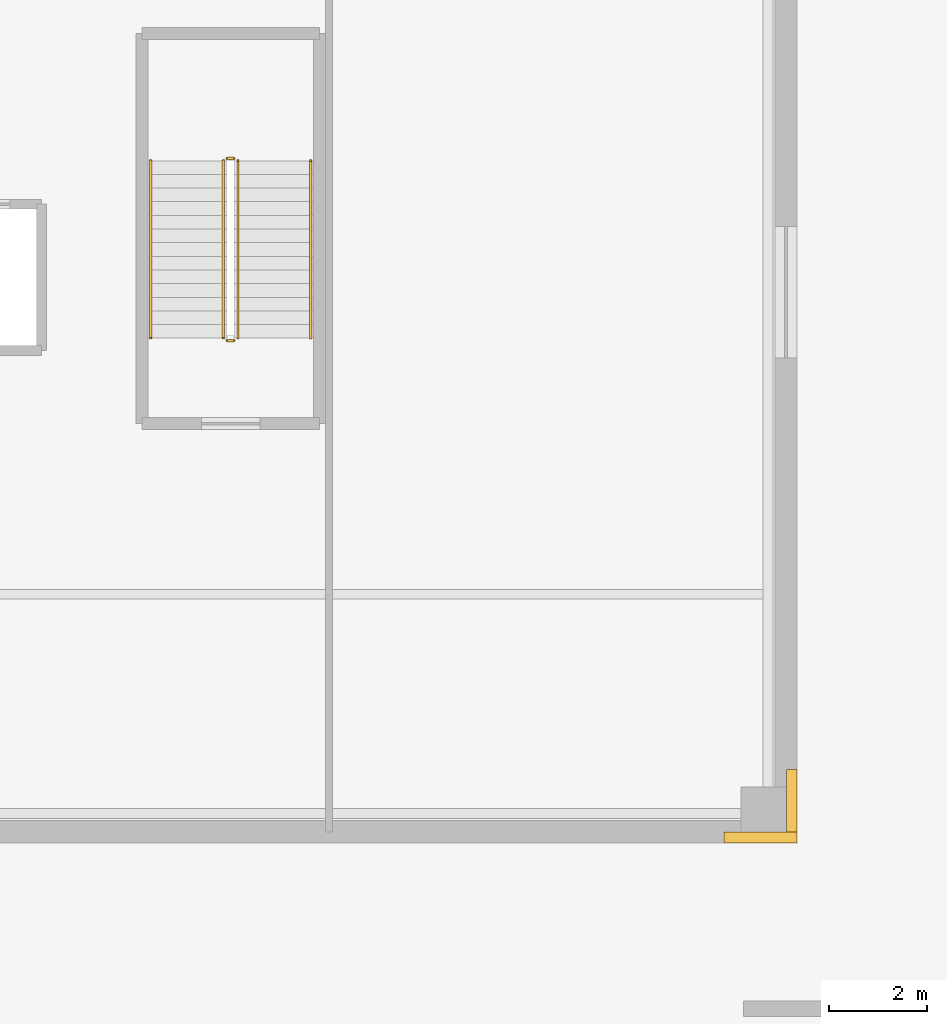
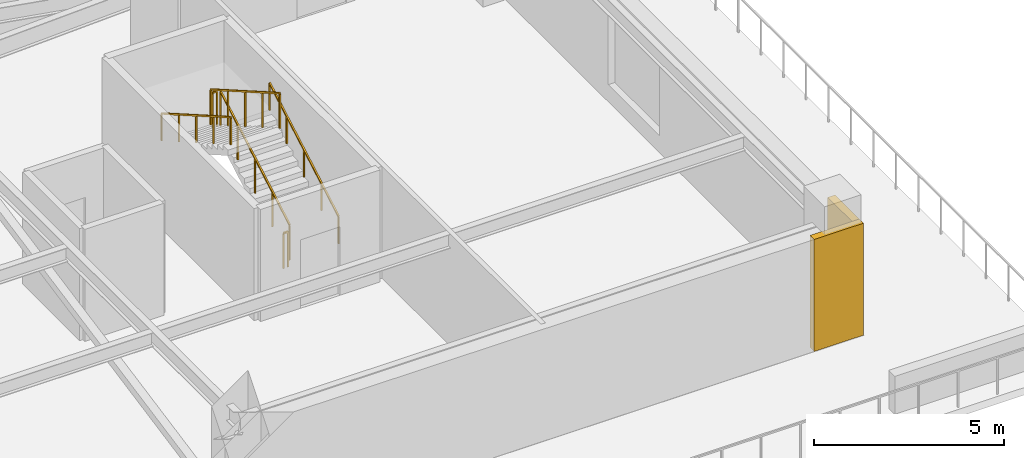
# One storey, part 18 of 19: 6 railings, 2 coverings.
"""IFC4 building model written with IfcOpenShell, lengths in metres."""

from ifc_helpers import new_model, si_unit, direction, frame, origin, origin_2d, place, context, subcontext, project, spatial, rectangle, extrude, source, transform, mapped, material, layer, layer_set, type_object, element, save


model = new_model("IFC4")

# Units and contexts
model_context = context("Model", 3, precision=1e-05, world=origin(), true_north=direction((0.0, 1.0)))
body_context = subcontext(model_context, "Body", "Model", "MODEL_VIEW")
ifc_project = project(units=[si_unit("LENGTHUNIT", "METRE"), si_unit("AREAUNIT", "SQUARE_METRE"), si_unit("VOLUMEUNIT", "CUBIC_METRE"), si_unit("PLANEANGLEUNIT", "RADIAN"), si_unit("MASSUNIT", "GRAM", prefix="KILO")], contexts=[model_context])

# Site, building, storey
site_placement = place(None, origin())
site = spatial("IfcSite", under=ifc_project, at=site_placement, CompositionType="ELEMENT")
building_placement = place(site_placement, origin())
building = spatial("IfcBuilding", under=site, at=building_placement, Name="Liaohun Quay Tower", CompositionType="ELEMENT")
storey_placement = place(building_placement, frame((0.0, 0.0, 18.89990234375)))
storey = spatial("IfcBuildingStorey", under=building, at=storey_placement, Name="L05", CompositionType="ELEMENT", Elevation=18.89990234375)

# Railings
ifc_material_1 = material(Name="Painted tubular steel", Category="steel")
railing_type_1 = type_object("IfcRailingType", Name="RLG-GUARD-STR", PredefinedType="GUARDRAIL", material=ifc_material_1)
railing_1_placement = place(storey_placement, frame((85.1298828125, 33.75, 0.160888671875)))
element("IfcRailing", 1, at=railing_1_placement, inside=storey, type_object=railing_type_1, Name="L05 ST-P2 stair guard 1", PredefinedType="GUARDRAIL", context=body_context, shape_type="SweptSolid", body=[
    extrude(rectangle(XDim=0.048095703125, YDim=0.048095703125, at=origin_2d()), frame((0.0, 0.0, 1.1259765625), z_axis=(0.0, 0.867300072446, 0.497785681127), x_axis=(-1.0, 0.0, 0.0)), (0.0, 0.0, 1.0), 4.19677734375),
    extrude(rectangle(XDim=0.0419921875, YDim=0.0419921875, at=origin_2d()), origin(), (0.0, 0.0, 1.0), 1.101806640625),
    extrude(rectangle(XDim=0.0419921875, YDim=0.0419921875, at=origin_2d()), frame((0.0, 0.909912109375, 0.522216796875)), (0.0, 0.0, 1.0), 1.101806640625),
    extrude(rectangle(XDim=0.0419921875, YDim=0.0419921875, at=origin_2d()), frame((0.0, 1.81982421875, 1.04443359375)), (0.0, 0.0, 1.0), 1.101806640625),
    extrude(rectangle(XDim=0.0419921875, YDim=0.0419921875, at=origin_2d()), frame((0.0, 2.72998046875, 1.56689453125)), (0.0, 0.0, 1.0), 1.101806640625),
    extrude(rectangle(XDim=0.0419921875, YDim=0.0419921875, at=origin_2d()), frame((0.0, 3.639892578125, 2.089111328125)), (0.0, 0.0, 1.0), 1.101806640625),
])
railing_2_placement = place(storey_placement, frame((85.050048828125, 37.43994140625, 2.25)))
element("IfcRailing", 2, at=railing_2_placement, inside=storey, type_object=railing_type_1, Name="L05 ST-P2 stair guard 2", PredefinedType="GUARDRAIL", context=body_context, shape_type="SweptSolid", body=[
    extrude(rectangle(XDim=0.048095703125, YDim=0.048095703125, at=origin_2d()), frame((0.0, 0.0, 1.1259765625), z_axis=(-1.0, 0.0, 0.0), x_axis=(0.0, -1.0, 0.0)), (0.0, 0.0, 1.0), 0.14013671875),
    extrude(rectangle(XDim=0.0419921875, YDim=0.0419921875, at=origin_2d()), origin(), (0.0, 0.0, 1.0), 1.101806640625),
    extrude(rectangle(XDim=0.0419921875, YDim=0.0419921875, at=origin_2d()), frame((-0.14013671875, 0.0, 0.0)), (0.0, 0.0, 1.0), 1.101806640625),
])
railing_3_placement = place(storey_placement, frame((84.830078125, 37.389892578125, 2.410888671875)))
element("IfcRailing", 3, at=railing_3_placement, inside=storey, type_object=railing_type_1, Name="L05 ST-P2 stair guard 3", PredefinedType="GUARDRAIL", context=body_context, shape_type="SweptSolid", body=[
    extrude(rectangle(XDim=0.048095703125, YDim=0.048095703125, at=origin_2d()), frame((0.0, 0.0, 1.1259765625), z_axis=(0.0, -0.867300072446, 0.497785681127), x_axis=(1.0, 0.0, 0.0)), (0.0, 0.0, 1.0), 4.19677734375),
    extrude(rectangle(XDim=0.0419921875, YDim=0.0419921875, at=origin_2d()), origin(), (0.0, 0.0, 1.0), 1.101806640625),
    extrude(rectangle(XDim=0.0419921875, YDim=0.0419921875, at=origin_2d()), frame((0.0, -0.909912109375, 0.522216796875)), (0.0, 0.0, 1.0), 1.101806640625),
    extrude(rectangle(XDim=0.0419921875, YDim=0.0419921875, at=origin_2d()), frame((0.0, -1.81982421875, 1.04443359375)), (0.0, 0.0, 1.0), 1.101806640625),
    extrude(rectangle(XDim=0.0419921875, YDim=0.0419921875, at=origin_2d()), frame((0.0, -2.72998046875, 1.56689453125)), (0.0, 0.0, 1.0), 1.101806640625),
    extrude(rectangle(XDim=0.0419921875, YDim=0.0419921875, at=origin_2d()), frame((0.0, -3.639892578125, 2.089111328125)), (0.0, 0.0, 1.0), 1.101806640625),
])
railing_4_placement = place(storey_placement, frame((85.050048828125, 33.699951171875, 0.0)))
element("IfcRailing", 4, at=railing_4_placement, inside=storey, type_object=railing_type_1, Name="L05 ST-P2 stair guard 4", PredefinedType="GUARDRAIL", context=body_context, shape_type="SweptSolid", body=[
    extrude(rectangle(XDim=0.048095703125, YDim=0.048095703125, at=origin_2d()), frame((0.0, 0.0, 1.1259765625), z_axis=(-1.0, 0.0, 0.0), x_axis=(0.0, -1.0, 0.0)), (0.0, 0.0, 1.0), 0.14013671875),
    extrude(rectangle(XDim=0.0419921875, YDim=0.0419921875, at=origin_2d()), origin(), (0.0, 0.0, 1.0), 1.101806640625),
    extrude(rectangle(XDim=0.0419921875, YDim=0.0419921875, at=origin_2d()), frame((-0.14013671875, 0.0, 0.0)), (0.0, 0.0, 1.0), 1.101806640625),
])
ifc_material_2 = material(Name="Brushed stainless steel", Category="steel")
railing_type_2 = type_object("IfcRailingType", Name="RLG-HND-STR", PredefinedType="HANDRAIL", material=ifc_material_2)
railing_5_placement = place(storey_placement, frame((86.6201171875, 33.75, 0.160888671875)))
element("IfcRailing", 5, at=railing_5_placement, inside=storey, type_object=railing_type_2, Name="L05 ST-P2 stair handrail 1", PredefinedType="HANDRAIL", context=body_context, shape_type="SweptSolid", body=[
    extrude(rectangle(XDim=0.048095703125, YDim=0.048095703125, at=origin_2d()), frame((0.0, 0.0, 0.8759765625), z_axis=(0.0, 0.867300072446, 0.497785681127), x_axis=(-1.0, 0.0, 0.0)), (0.0, 0.0, 1.0), 4.19677734375),
    extrude(rectangle(XDim=0.0419921875, YDim=0.0419921875, at=origin_2d()), origin(), (0.0, 0.0, 1.0), 0.851806640625),
    extrude(rectangle(XDim=0.0419921875, YDim=0.0419921875, at=origin_2d()), frame((0.0, 0.909912109375, 0.522216796875)), (0.0, 0.0, 1.0), 0.851806640625),
    extrude(rectangle(XDim=0.0419921875, YDim=0.0419921875, at=origin_2d()), frame((0.0, 1.81982421875, 1.04443359375)), (0.0, 0.0, 1.0), 0.851806640625),
    extrude(rectangle(XDim=0.0419921875, YDim=0.0419921875, at=origin_2d()), frame((0.0, 2.72998046875, 1.56689453125)), (0.0, 0.0, 1.0), 0.851806640625),
    extrude(rectangle(XDim=0.0419921875, YDim=0.0419921875, at=origin_2d()), frame((0.0, 3.639892578125, 2.089111328125)), (0.0, 0.0, 1.0), 0.851806640625),
])
railing_6_placement = place(storey_placement, frame((83.340087890625, 37.389892578125, 2.410888671875)))
element("IfcRailing", 6, at=railing_6_placement, inside=storey, type_object=railing_type_2, Name="L05 ST-P2 stair handrail 2", PredefinedType="HANDRAIL", context=body_context, shape_type="SweptSolid", body=[
    extrude(rectangle(XDim=0.048095703125, YDim=0.048095703125, at=origin_2d()), frame((0.0, 0.0, 0.8759765625), z_axis=(0.0, -0.867300072446, 0.497785681127), x_axis=(1.0, 0.0, 0.0)), (0.0, 0.0, 1.0), 4.19677734375),
    extrude(rectangle(XDim=0.0419921875, YDim=0.0419921875, at=origin_2d()), origin(), (0.0, 0.0, 1.0), 0.851806640625),
    extrude(rectangle(XDim=0.0419921875, YDim=0.0419921875, at=origin_2d()), frame((0.0, -0.909912109375, 0.522216796875)), (0.0, 0.0, 1.0), 0.851806640625),
    extrude(rectangle(XDim=0.0419921875, YDim=0.0419921875, at=origin_2d()), frame((0.0, -1.81982421875, 1.04443359375)), (0.0, 0.0, 1.0), 0.851806640625),
    extrude(rectangle(XDim=0.0419921875, YDim=0.0419921875, at=origin_2d()), frame((0.0, -2.72998046875, 1.56689453125)), (0.0, 0.0, 1.0), 0.851806640625),
    extrude(rectangle(XDim=0.0419921875, YDim=0.0419921875, at=origin_2d()), frame((0.0, -3.639892578125, 2.089111328125)), (0.0, 0.0, 1.0), 0.851806640625),
])

# Coverings
ifc_material_3 = material(Name="Bush-hammered Liaodong grey granite stone cladding", Category="masonry")
ifc_layer = layer(ifc_material_3, 0.0400390625, Name="Bush-hammered Liaodong grey granite stone cladding", Category="masonry")
ifc_layer_set = layer_set([ifc_layer], Name="Bush-hammered Liaodong grey granite stone cladding")
covering_type = type_object("IfcCoveringType", Name="COV-EXT-CLD", PredefinedType="CLADDING", material=ifc_layer_set)
shared_shape_1 = source(origin(), body_context, "Body", "SweptSolid", [
    extrude(rectangle(XDim=1.5, YDim=0.219970703125, at=origin_2d()), origin(), (0.0, 0.0, 1.0), 3.60009765625),
])
covering_1_placement = place(storey_placement, frame((95.85009765625, 23.510009765625, 0.0), z_axis=(0.0, 0.0, 1.0), x_axis=(1.0, 0.0, 0.0)))
element("IfcCovering", 7, at=covering_1_placement, inside=storey, type_object=covering_type, Name="L05 Corner Granite Pier Cladding SE-X", PredefinedType="CLADDING", context=body_context, shape_type="MappedRepresentation", body=[
    mapped(shared_shape_1, transform((0.0, 0.0, 0.0), x_axis=(1.0, 0.0, 0.0), y_axis=(0.0, 1.0, 0.0), z_axis=(0.0, 0.0, 1.0), scale=1.0)),
])
shared_shape_2 = source(origin(), body_context, "Body", "SweptSolid", [
    extrude(rectangle(XDim=0.219970703125, YDim=1.280029296875, at=origin_2d()), origin(), (0.0, 0.0, 1.0), 3.60009765625),
])
covering_2_placement = place(storey_placement, frame((96.489990234375, 24.260009765625, 0.0), z_axis=(0.0, 0.0, 1.0), x_axis=(1.0, 0.0, 0.0)))
element("IfcCovering", 8, at=covering_2_placement, inside=storey, type_object=covering_type, Name="L05 Corner Granite Pier Cladding SE-Y", PredefinedType="CLADDING", context=body_context, shape_type="MappedRepresentation", body=[
    mapped(shared_shape_2, transform((0.0, 0.0, 0.0), x_axis=(1.0, 0.0, 0.0), y_axis=(0.0, 1.0, 0.0), z_axis=(0.0, 0.0, 1.0), scale=1.0)),
])

save(model, "model.ifc")
